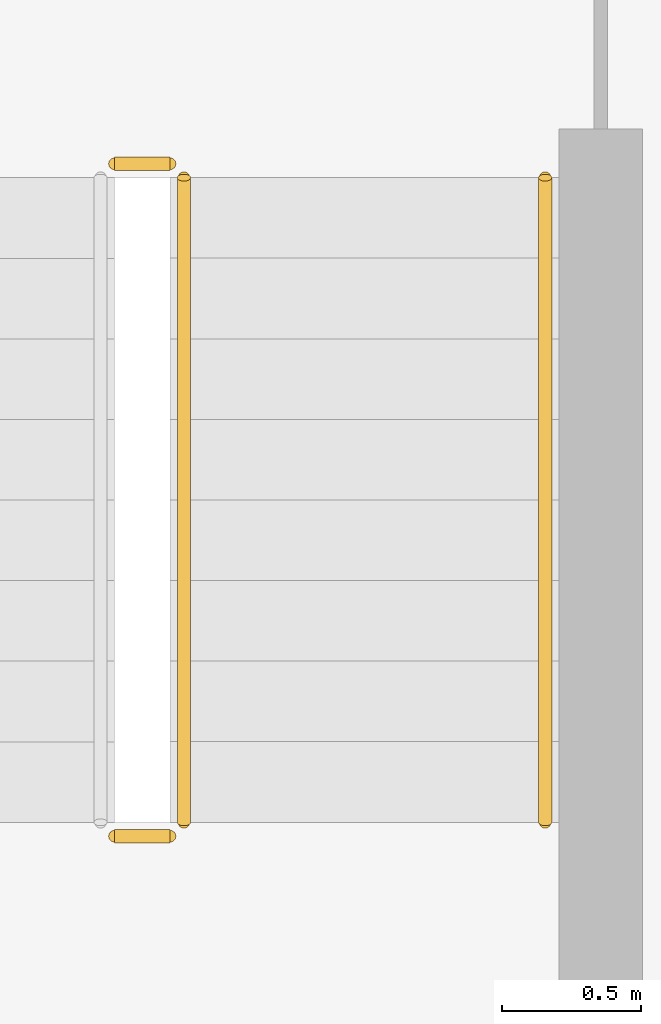
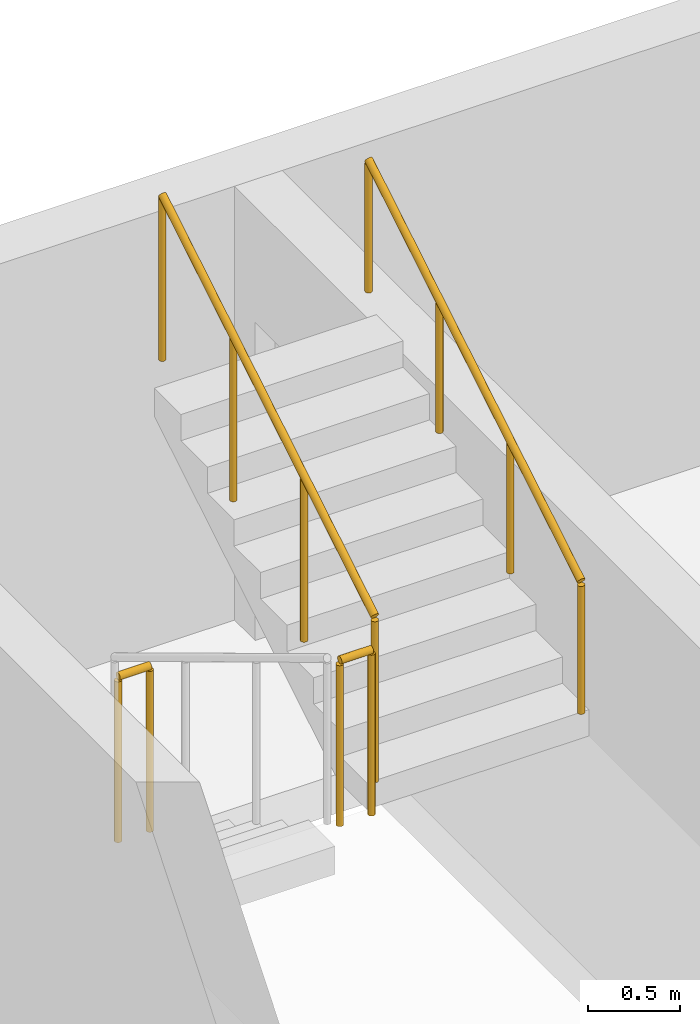
# One storey, part 44 of 51: 4 railings.
"""IFC4 building model written with IfcOpenShell, lengths in metres."""

import ifcopenshell
import ifcopenshell.guid

model = None  # the IFC model being written
_history = None  # IfcOwnerHistory: only IFC2X3 demands one
_inside = {}  # id of a spatial element -> (the spatial element, [elements in it])
_under = {}  # id of a project, library or spatial element -> (it, [spatial elements below it])
_declared = {}  # id of a project -> (the project, [libraries it declares])
_typed = {}  # id of a type object -> (the type object, [elements of that type])
_made_of = {}  # id of a material, layer set ... -> (it, [elements and type objects made of it])


def new_model(schema):
    """Start an empty IFC model of exactly this schema.

    Asked for "IFC4X3", IfcOpenShell would pick the latest addendum, in which some entities
    have other attributes; the version numbers below select the first issue.
    IFC2X3 requires an IfcOwnerHistory on every rooted entity: one is made here for all.
    """
    global model, _history
    if schema == "IFC4X3":
        model = ifcopenshell.file(schema_version=(4, 3, 0, 0))
    else:
        model = ifcopenshell.file(schema=schema)
    _inside.clear()
    _under.clear()
    _declared.clear()
    _typed.clear()
    _made_of.clear()
    _history = None
    if model.schema == "IFC2X3":
        org = make("IfcOrganization", Name="unknown")
        user = make(
            "IfcPersonAndOrganization",
            ThePerson=make("IfcPerson", FamilyName="unknown"),
            TheOrganization=org,
        )
        app = make(
            "IfcApplication",
            ApplicationDeveloper=org,
            Version="unknown",
            ApplicationFullName="unknown",
            ApplicationIdentifier="unknown",
        )
        _history = make(
            "IfcOwnerHistory",
            OwningUser=user,
            OwningApplication=app,
            ChangeAction="ADDED",
            CreationDate=0,
        )
    return model


def make(cls, **values):
    """One entity of the class cls with the attributes given. An attribute that is None is left unset."""
    return model.create_entity(
        cls, **{name: value for name, value in values.items() if value is not None}
    )


def rooted(cls, **values):
    """An entity with a GlobalId (a new one), such as an element, a storey or a relation."""
    return make(cls, GlobalId=ifcopenshell.guid.new(), OwnerHistory=_history, **values)


def si_unit(unit_type, name, prefix=None):
    """IfcSIUnit, for example si_unit("LENGTHUNIT", "METRE", prefix="MILLI")."""
    return make("IfcSIUnit", UnitType=unit_type, Prefix=prefix, Name=name)


def derived_unit(unit_type, elements):
    """IfcDerivedUnit: a product of units, each with its exponent."""
    return make(
        "IfcDerivedUnit",
        Elements=[
            make("IfcDerivedUnitElement", Unit=unit, Exponent=power)
            for unit, power in elements
        ],
        UnitType=unit_type,
    )


def assignment(units):
    """IfcUnitAssignment: the units of a project."""
    return None if units is None else make("IfcUnitAssignment", Units=units)


def point(xyz):
    """IfcCartesianPoint."""
    return None if xyz is None else make("IfcCartesianPoint", Coordinates=xyz)


def direction(xyz):
    """IfcDirection."""
    return None if xyz is None else make("IfcDirection", DirectionRatios=xyz)


def frame(location, z_axis=None, x_axis=None):
    """IfcAxis2Placement3D, a coordinate frame: its origin and axes. An axis left out is left unset."""
    return make(
        "IfcAxis2Placement3D",
        Location=point(location),
        Axis=direction(z_axis),
        RefDirection=direction(x_axis),
    )


def frame_2d(location, x_axis=None):
    """IfcAxis2Placement2D, a coordinate frame in the plane: its origin and x axis."""
    return make(
        "IfcAxis2Placement2D", Location=point(location), RefDirection=direction(x_axis)
    )


def origin():
    """The frame at (0, 0, 0) with its axes left unset."""
    return frame((0.0, 0.0, 0.0))


def origin_2d():
    """The frame at (0, 0) in the plane with its x axis left unset."""
    return frame_2d((0.0, 0.0))


def place(relative_to, where):
    """IfcLocalPlacement: puts the frame where relative to a parent placement (None: the world)."""
    return make(
        "IfcLocalPlacement", PlacementRelTo=relative_to, RelativePlacement=where
    )


def context(
    kind, dimensions, precision=None, world=None, true_north=None, identifier=None
):
    """IfcGeometricRepresentationContext, for example the 3D "Model" context."""
    return make(
        "IfcGeometricRepresentationContext",
        ContextIdentifier=identifier,
        ContextType=kind,
        CoordinateSpaceDimension=dimensions,
        Precision=precision,
        WorldCoordinateSystem=world,
        TrueNorth=true_north,
    )


def subcontext(parent, identifier, kind, view, scale=None):
    """IfcGeometricRepresentationSubContext, for example "Body" below "Model"."""
    return make(
        "IfcGeometricRepresentationSubContext",
        ContextIdentifier=identifier,
        ContextType=kind,
        ParentContext=parent,
        TargetScale=scale,
        TargetView=view,
    )


def project(units=None, contexts=None):
    """IfcProject with its units and contexts."""
    return rooted(
        "IfcProject",
        Name="project",
        RepresentationContexts=contexts,
        UnitsInContext=assignment(units),
    )


def spatial(cls, under=None, at=None, **own):
    """A site, building, storey or space (cls), placed at a placement, below another one or the project."""
    s = rooted(cls, ObjectPlacement=at, **own)
    if under is not None:
        _under.setdefault(under.id(), (under, []))[1].append(s)
    return s


def profile(cls, at=None, kind="AREA", **sizes):
    """A parametric profile (cls). Its sizes go by their IFC names, for example OverallWidth=200.0."""
    return make(cls, ProfileType=kind, Position=at, **sizes)


def circle(**sizes):
    """IfcCircleProfileDef."""
    return profile("IfcCircleProfileDef", **sizes)


def extrude(swept, where, along, depth):
    """IfcExtrudedAreaSolid: the profile swept, set in the frame where, extruded along a direction by depth."""
    return make(
        "IfcExtrudedAreaSolid",
        SweptArea=swept,
        Position=where,
        ExtrudedDirection=direction(along),
        Depth=depth,
    )


def shape(context_of_items, identifier, shape_type, items):
    """IfcShapeRepresentation: the items that make up one representation, for example the "Body"."""
    return make(
        "IfcShapeRepresentation",
        ContextOfItems=context_of_items,
        RepresentationIdentifier=identifier,
        RepresentationType=shape_type,
        Items=items,
    )


def material(Name=None, Category=None):
    """IfcMaterial."""
    return make("IfcMaterial", Name=Name, Category=Category)


def made_of(thing, what):
    """Note that an element or type object is made of a material, layer set ...; save() writes the relation."""
    if what is not None:
        _made_of.setdefault(what.id(), (what, []))[1].append(thing)
    return thing


def type_object(cls, material=None, **own):
    """A type object (cls), such as IfcWallType, which elements share."""
    return made_of(rooted(cls, **own), material)


def element(
    cls,
    number,
    at=None,
    inside=None,
    cuts=None,
    type_object=None,
    material=None,
    context=None,
    identifier="Body",
    shape_type=None,
    held_by="IfcProductDefinitionShape",
    body=None,
    shapes=None,
    **own,
):
    """One element of the class cls, such as IfcWall. Its Tag is "e" and its number.

    at: its placement. inside: the storey or other place that contains it. cuts: it is an
    opening in that element (IfcRelVoidsElement). A single representation is given by context,
    identifier, shape_type and body (its items); several are given by shapes. held_by: the class
    of the entity that holds the representations. save() writes the other relations.
    """
    e = rooted(cls, Tag="e%d" % number, ObjectPlacement=at, **own)
    if body is not None:
        shapes = [shape(context, identifier, shape_type, body)]
    if shapes is not None:
        e.Representation = make(held_by, Representations=shapes)
    if inside is not None:
        _inside.setdefault(inside.id(), (inside, []))[1].append(e)
    if cuts is not None:
        rooted(
            "IfcRelVoidsElement", RelatingBuildingElement=cuts, RelatedOpeningElement=e
        )
    if type_object is not None:
        _typed.setdefault(type_object.id(), (type_object, []))[1].append(e)
    return made_of(e, material)


def aggregate(whole, parts):
    """IfcRelAggregates: a whole, such as a stair, and the parts it consists of."""
    return rooted("IfcRelAggregates", RelatingObject=whole, RelatedObjects=parts)


def save(model, path):
    """Write the relations noted so far, then the file.

    IfcRelAggregates (storeys below a building ...), IfcRelContainedInSpatialStructure (elements
    in a storey), IfcRelDefinesByType, IfcRelAssociatesMaterial and IfcRelDeclares: one each for
    every whole, place, type object, material and project.
    """
    for whole, parts in _under.values():
        aggregate(whole, parts)
    for where, things in _inside.values():
        rooted(
            "IfcRelContainedInSpatialStructure",
            RelatedElements=things,
            RelatingStructure=where,
        )
    for kind, things in _typed.values():
        rooted("IfcRelDefinesByType", RelatedObjects=things, RelatingType=kind)
    for what, things in _made_of.values():
        rooted("IfcRelAssociatesMaterial", RelatedObjects=things, RelatingMaterial=what)
    for by, libraries in _declared.values():
        rooted("IfcRelDeclares", RelatingContext=by, RelatedDefinitions=libraries)
    model.write(path)


model = new_model("IFC4")

# Units and contexts
model_context = context("Model", 3, precision=1e-05, world=origin(), true_north=direction((0.0, 1.0)))
body_context = subcontext(model_context, "Body", "Model", "MODEL_VIEW")
ifc_project = project(units=[si_unit("LENGTHUNIT", "METRE"), si_unit("AREAUNIT", "SQUARE_METRE"), si_unit("VOLUMEUNIT", "CUBIC_METRE"), si_unit("PLANEANGLEUNIT", "RADIAN"), si_unit("MASSUNIT", "GRAM", prefix="KILO"), derived_unit("THERMALTRANSMITTANCEUNIT", [(si_unit("MASSUNIT", "GRAM", prefix="KILO"), 1), (si_unit("TIMEUNIT", "SECOND"), -3), (si_unit("THERMODYNAMICTEMPERATUREUNIT", "KELVIN"), -1)])], contexts=[model_context])

# Site, building, storey
site_placement = place(None, origin())
site = spatial("IfcSite", under=ifc_project, at=site_placement, CompositionType="ELEMENT")
building_placement = place(site_placement, origin())
building = spatial("IfcBuilding", under=site, at=building_placement, Name="Ochrekiln Boulevard Commons", CompositionType="ELEMENT")
storey_placement = place(building_placement, frame((0.0, 0.0, 15.22509765625)))
storey = spatial("IfcBuildingStorey", under=building, at=storey_placement, Name="L04", CompositionType="ELEMENT", Elevation=15.22509765625)

# Railings
ifc_material = material(Name="Brushed stainless steel 316 tubular railing", Category="steel")
railing_type_1 = type_object("IfcRailingType", Name="RLG-HDR-900", PredefinedType="HANDRAIL", material=ifc_material)
railing_1_placement = place(storey_placement, frame((9.35009765625, 114.610107421875, 1.75)))
element("IfcRailing", 1, at=railing_1_placement, inside=storey, type_object=railing_type_1, Name="L04 ST-A2 stair handrail 2", PredefinedType="HANDRAIL", context=body_context, shape_type="SweptSolid", body=[
    extrude(circle(Radius=0.02392578125, at=origin_2d()), frame((0.0, 0.0, 0.8759765625), z_axis=(0.0, 0.856186286599, 0.516667245565), x_axis=(-1.0, 0.0, 0.0)), (0.0, 0.0, 1.0), 2.70947265625),
    extrude(circle(Radius=0.02099609375, at=origin_2d()), origin(), (0.0, 0.0, 1.0), 0.851806640625),
    extrude(circle(Radius=0.02099609375, at=origin_2d()), frame((0.0, 0.773193359375, 0.466552734375)), (0.0, 0.0, 1.0), 0.851806640625),
    extrude(circle(Radius=0.02099609375, at=origin_2d()), frame((0.0, 1.546630859375, 0.933349609375)), (0.0, 0.0, 1.0), 0.851806640625),
    extrude(circle(Radius=0.02099609375, at=origin_2d()), frame((0.0, 2.31982421875, 1.39990234375)), (0.0, 0.0, 1.0), 0.851806640625),
])
railing_type_2 = type_object("IfcRailingType", Name="RLG-STR-1120", PredefinedType="BALUSTRADE", material=ifc_material)
railing_2_placement = place(storey_placement, frame((7.800048828125, 114.56005859375, 1.574951171875)))
element("IfcRailing", 2, at=railing_2_placement, inside=storey, type_object=railing_type_2, Name="L04 ST-A2 stair guard 2", PredefinedType="BALUSTRADE", context=body_context, shape_type="SweptSolid", body=[
    extrude(circle(Radius=0.02392578125, at=origin_2d()), frame((0.0, 0.0, 1.09619140625), z_axis=(1.0, 0.0, 0.0), x_axis=(0.0, 1.0, 0.0)), (0.0, 0.0, 1.0), 0.199951171875),
    extrude(circle(Radius=0.02099609375, at=origin_2d()), origin(), (0.0, 0.0, 1.0), 1.072021484375),
    extrude(circle(Radius=0.02099609375, at=origin_2d()), frame((0.199951171875, 0.0, 0.0)), (0.0, 0.0, 1.0), 1.072021484375),
])
railing_3_placement = place(storey_placement, frame((8.050048828125, 114.610107421875, 1.75)))
element("IfcRailing", 3, at=railing_3_placement, inside=storey, type_object=railing_type_2, Name="L04 ST-A2 stair guard 3", PredefinedType="BALUSTRADE", context=body_context, shape_type="SweptSolid", body=[
    extrude(circle(Radius=0.02392578125, at=origin_2d()), frame((0.0, 0.0, 1.09619140625), z_axis=(0.0, 0.856186286599, 0.516667245565), x_axis=(-1.0, 0.0, 0.0)), (0.0, 0.0, 1.0), 2.70947265625),
    extrude(circle(Radius=0.02099609375, at=origin_2d()), origin(), (0.0, 0.0, 1.0), 1.072021484375),
    extrude(circle(Radius=0.02099609375, at=origin_2d()), frame((0.0, 0.773193359375, 0.466552734375)), (0.0, 0.0, 1.0), 1.072021484375),
    extrude(circle(Radius=0.02099609375, at=origin_2d()), frame((0.0, 1.546630859375, 0.933349609375)), (0.0, 0.0, 1.0), 1.072021484375),
    extrude(circle(Radius=0.02099609375, at=origin_2d()), frame((0.0, 2.31982421875, 1.39990234375)), (0.0, 0.0, 1.0), 1.072021484375),
])
railing_4_placement = place(storey_placement, frame((7.800048828125, 116.97998046875, 0.0)))
element("IfcRailing", 4, at=railing_4_placement, inside=storey, type_object=railing_type_2, Name="L04 ST-A2 stair guard 4", PredefinedType="BALUSTRADE", context=body_context, shape_type="SweptSolid", body=[
    extrude(circle(Radius=0.02392578125, at=origin_2d()), frame((0.0, 0.0, 1.09619140625), z_axis=(1.0, 0.0, 0.0), x_axis=(0.0, 1.0, 0.0)), (0.0, 0.0, 1.0), 0.199951171875),
    extrude(circle(Radius=0.02099609375, at=origin_2d()), origin(), (0.0, 0.0, 1.0), 1.072021484375),
    extrude(circle(Radius=0.02099609375, at=origin_2d()), frame((0.199951171875, 0.0, 0.0)), (0.0, 0.0, 1.0), 1.072021484375),
])

save(model, "model.ifc")
